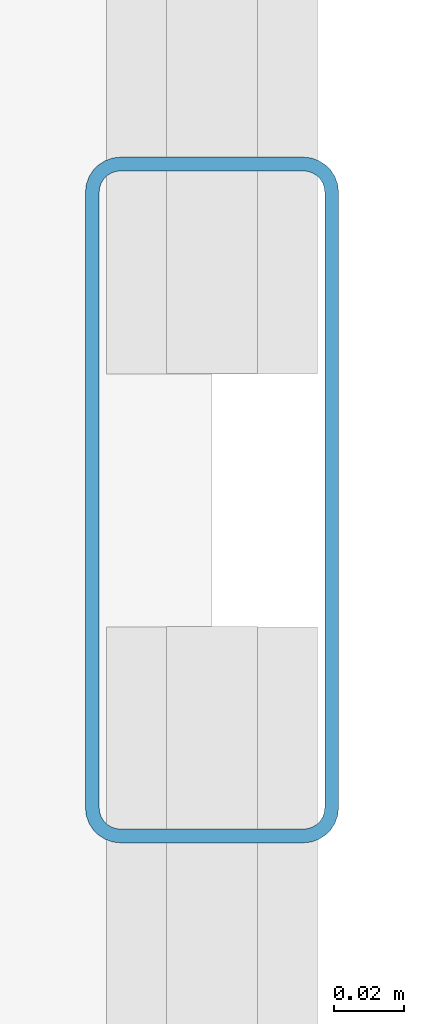
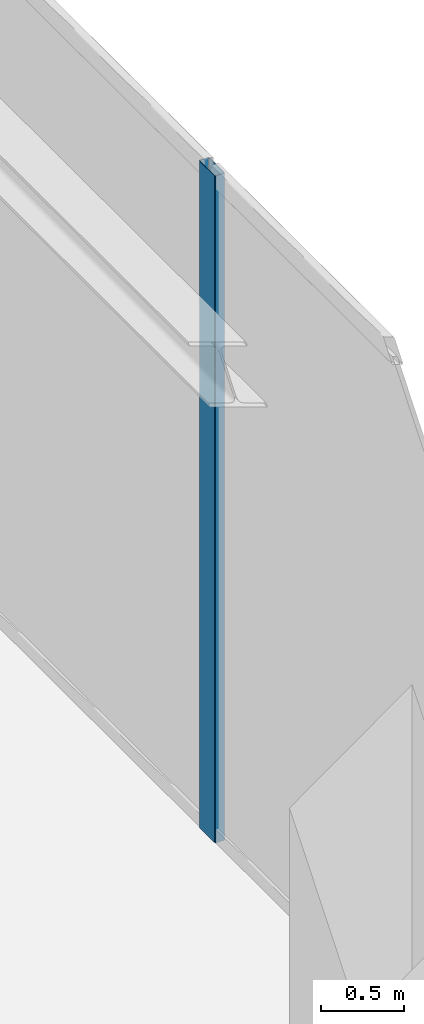
# One storey, part 16 of 27: 1 member, 1 element without a shape of its own.
"""IFC4 building model written with IfcOpenShell, lengths in metres."""

from ifc_helpers import new_model, si_unit, direction, frame, origin, origin_2d, place, context, subcontext, project, spatial, hollow_rectangle, extrude, source, transform, mapped, material, layer, layer_set, material_profile, profile_set, type_object, element, aggregate, save


model = new_model("IFC4")

# Units and contexts
model_context = context("Model", 3, precision=1e-05, world=origin(), true_north=direction((0.0, 1.0)))
body_context = subcontext(model_context, "Body", "Model", "MODEL_VIEW")
ifc_project = project(units=[si_unit("LENGTHUNIT", "METRE"), si_unit("AREAUNIT", "SQUARE_METRE"), si_unit("VOLUMEUNIT", "CUBIC_METRE"), si_unit("PLANEANGLEUNIT", "RADIAN"), si_unit("MASSUNIT", "GRAM", prefix="KILO")], contexts=[model_context])

# Site, building, storey
site_placement = place(None, origin())
site = spatial("IfcSite", under=ifc_project, at=site_placement, CompositionType="ELEMENT")
building_placement = place(site_placement, origin())
building = spatial("IfcBuilding", under=site, at=building_placement, Name="Serunith Strait Residences", CompositionType="ELEMENT")
storey_placement = place(building_placement, frame((0.0, 0.0, 365.75)))
storey = spatial("IfcBuildingStorey", under=building, at=storey_placement, Name="L89", CompositionType="ELEMENT", Elevation=365.75)

# Curtain wall, member
ifc_material = material(Name="Pale-Silver Anodised Aluminium", Category="aluminium")
ifc_layer = layer(ifc_material, 0.199951171875, Name="Pale-Silver Anodised Aluminium")
ifc_layer_set = layer_set([ifc_layer], Name="Pale-Silver Anodised Aluminium")
curtain_wall_type = type_object("IfcCurtainWallType", Name="CW-SYS7", PredefinedType="NOTDEFINED", material=ifc_layer_set)
curtain_wall_placement = place(storey_placement, origin())
curtain_wall = element("IfcCurtainWall", 1, at=curtain_wall_placement, inside=storey, type_object=curtain_wall_type, Name="L89 E Unitised Fritted Curtain Wall", PredefinedType="NOTDEFINED")
ifc_material_profile = material_profile(ifc_material, hollow_rectangle(XDim=0.072021484375, YDim=0.195068359375, WallThickness=0.00390625, InnerFilletRadius=0.006103515625, OuterFilletRadius=0.010009765625, at=origin_2d()), Name="ALU 195x72x4")
ifc_profile_set = profile_set([ifc_material_profile], Name="Pale-Silver Anodised Aluminium")
member_type = type_object("IfcMemberType", Name="CW-SYS7-MULL", PredefinedType="MULLION", material=ifc_profile_set)
shared_shape = source(origin(), body_context, "Body", "SweptSolid", [
    extrude(hollow_rectangle(XDim=0.072021484375, YDim=0.195068359375, WallThickness=0.00390625, InnerFilletRadius=0.006103515625, OuterFilletRadius=0.010009765625, at=origin_2d()), origin(), (0.0, 0.0, 1.0), 4.885009765625),
])
member_placement = place(storey_placement, frame((54.0, 33.050048828125, 0.0), z_axis=(0.0, 0.0, 1.0), x_axis=(-1.0, 0.0, 0.0)))
member = element("IfcMember", 2, at=member_placement, type_object=member_type, Name="CW-7 mullion 2", PredefinedType="MULLION", context=body_context, shape_type="MappedRepresentation", body=[
    mapped(shared_shape, transform((0.0, 0.0, 0.0), scale=1.0)),
])
aggregate(curtain_wall, [member])

save(model, "model.ifc")
